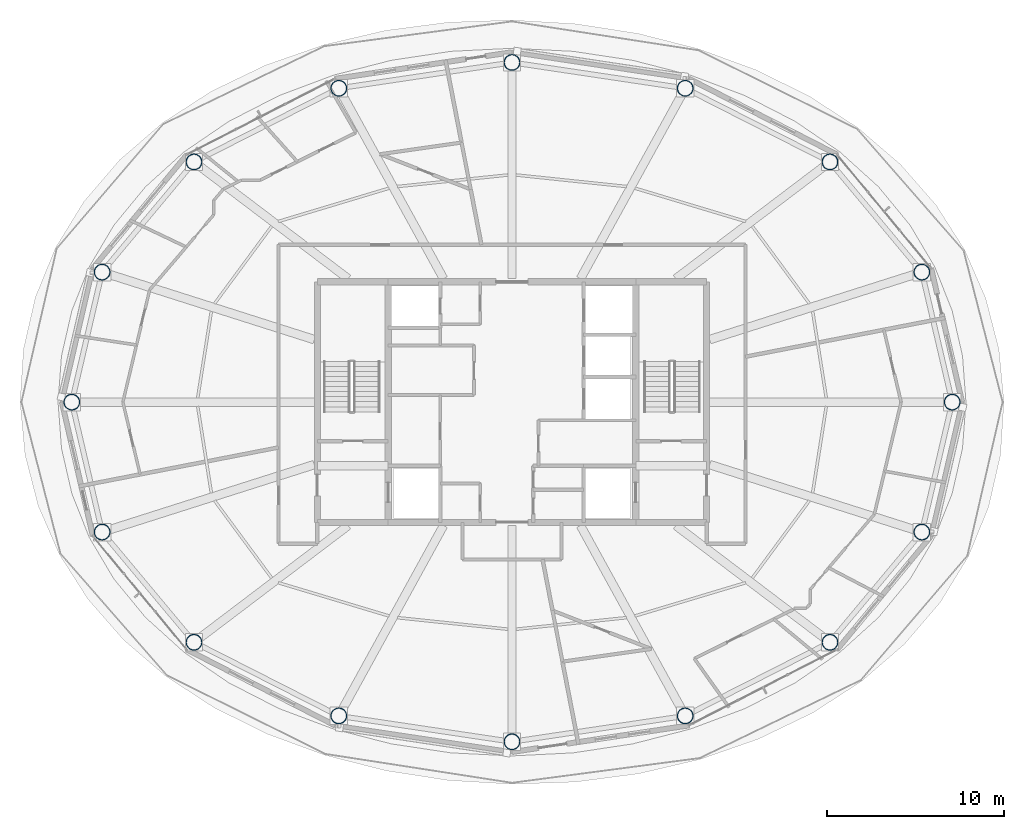
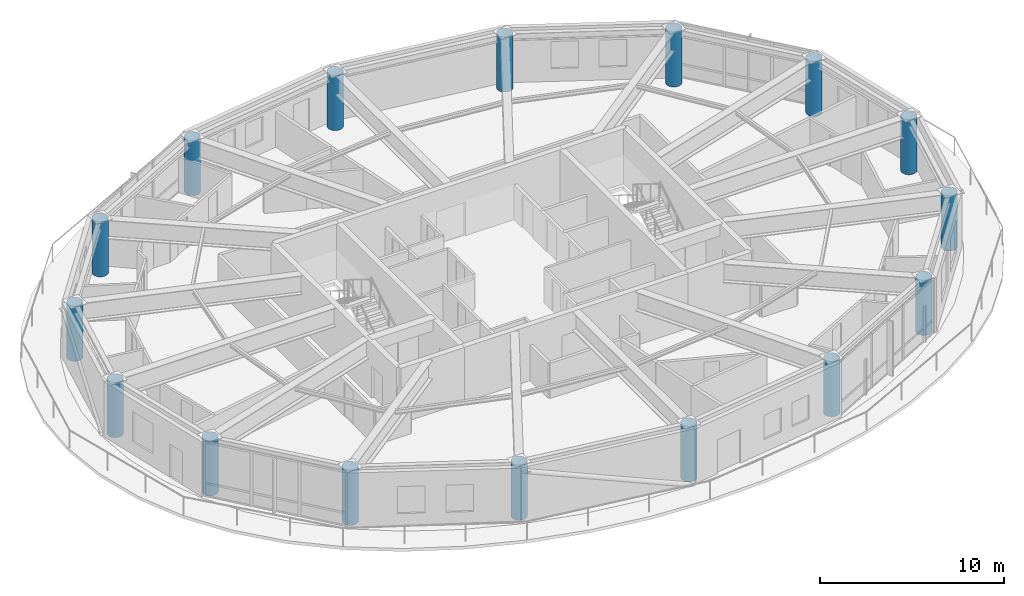
# One storey, part 1 of 24: 16 columns.
"""IFC4 building model written with IfcOpenShell, lengths in metres."""

from ifc_helpers import new_model, si_unit, direction, frame, origin, origin_2d, place, context, subcontext, project, spatial, hollow_circle, extrude, material, material_profile, profile_set, type_object, element, save


model = new_model("IFC4")

# Units and contexts
model_context = context("Model", 3, precision=1e-05, world=origin(), true_north=direction((0.0, 1.0)))
body_context = subcontext(model_context, "Body", "Model", "MODEL_VIEW")
ifc_project = project(units=[si_unit("LENGTHUNIT", "METRE"), si_unit("AREAUNIT", "SQUARE_METRE"), si_unit("VOLUMEUNIT", "CUBIC_METRE"), si_unit("PLANEANGLEUNIT", "RADIAN"), si_unit("MASSUNIT", "GRAM", prefix="KILO")], contexts=[model_context])

# Site, building, storey
site_placement = place(None, origin())
site = spatial("IfcSite", under=ifc_project, at=site_placement, CompositionType="ELEMENT")
building_placement = place(site_placement, origin())
building = spatial("IfcBuilding", under=site, at=building_placement, Name="Sarneth Arch Tower", CompositionType="ELEMENT")
storey_placement = place(building_placement, frame((0.0, 0.0, 312.60009765625)))
storey = spatial("IfcBuildingStorey", under=building, at=storey_placement, Name="L81", CompositionType="ELEMENT", Elevation=312.60009765625)

# Columns
ifc_material = material(Name="Steel S355", Category="steel")
ifc_material_profile = material_profile(ifc_material, hollow_circle(Radius=0.449951171875, WallThickness=0.02490234375, at=origin_2d()), Name="CHS900x25")
ifc_profile_set = profile_set([ifc_material_profile], Name="Steel S355")
column_type = type_object("IfcColumnType", Name="COL-MEGA-900", PredefinedType="COLUMN", material=ifc_profile_set)
for number, where, z_axis, x_axis, name in (
    (1, (72.88330078125, 42.0, 0.0), (0.0, 0.0, 1.0), (1.0, 0.0, 0.0), "L81 Perimeter mega-column M01"),
    (2, (71.1689453125, 49.347412109375, 0.0), (0.0, 0.0, 1.0), (1.0, 0.0, 0.0), "L81 Perimeter mega-column M02"),
    (3, (65.975341796875, 55.576416015625, 0.0), (0.0, 0.0, 1.0), (1.0, 0.0, 0.0), "L81 Perimeter mega-column M03"),
    (4, (57.790771484375, 59.738525390625, 0.0), (0.0, 0.0, 1.0), (1.0, 0.0, 0.0), "L81 Perimeter mega-column M04"),
    (5, (48.0, 61.199951171875, 0.0), (0.0, 0.0, 1.0), (1.0, 0.0, 0.0), "L81 Perimeter mega-column M05"),
    (6, (38.209228515625, 59.738525390625, 0.0), (0.0, 0.0, 1.0), (1.0, 0.0, 0.0), "L81 Perimeter mega-column M06"),
    (7, (30.024658203125, 55.576416015625, 0.0), (0.0, 0.0, 1.0), (1.0, 0.0, 0.0), "L81 Perimeter mega-column M07"),
    (8, (24.8310546875, 49.347412109375, 0.0), (0.0, 0.0, 1.0), (1.0, 0.0, 0.0), "L81 Perimeter mega-column M08"),
    (9, (23.11669921875, 42.0, 0.0), (0.0, 0.0, 1.0), (1.0, 0.0, 0.0), "L81 Perimeter mega-column M09"),
    (10, (24.8310546875, 34.652587890625, 0.0), (0.0, 0.0, 1.0), (1.0, 0.0, 0.0), "L81 Perimeter mega-column M10"),
    (11, (30.024658203125, 28.423583984375, 0.0), (0.0, 0.0, 1.0), (1.0, 0.0, 0.0), "L81 Perimeter mega-column M11"),
    (12, (38.209228515625, 24.261474609375, 0.0), (0.0, 0.0, 1.0), (1.0, 0.0, 0.0), "L81 Perimeter mega-column M12"),
    (13, (48.0, 22.800048828125, 0.0), (0.0, 0.0, 1.0), (1.0, 0.0, 0.0), "L81 Perimeter mega-column M13"),
    (14, (57.790771484375, 24.261474609375, 0.0), (0.0, 0.0, 1.0), (1.0, 0.0, 0.0), "L81 Perimeter mega-column M14"),
    (15, (65.975341796875, 28.423583984375, 0.0), (0.0, 0.0, 1.0), (1.0, 0.0, 0.0), "L81 Perimeter mega-column M15"),
    (16, (71.1689453125, 34.652587890625, 0.0), (0.0, 0.0, 1.0), (1.0, 0.0, 0.0), "L81 Perimeter mega-column M16"),
):
    element("IfcColumn", number, at=place(storey_placement, frame(where, z_axis=z_axis, x_axis=x_axis)), inside=storey, type_object=column_type, Name=name, PredefinedType="COLUMN", context=body_context, shape_type="SweptSolid", body=[
        extrude(hollow_circle(Radius=0.449951171875, WallThickness=0.02490234375, at=origin_2d()), origin(), (0.0, 0.0, 1.0), 3.639892578125),
    ])

save(model, "model.ifc")
